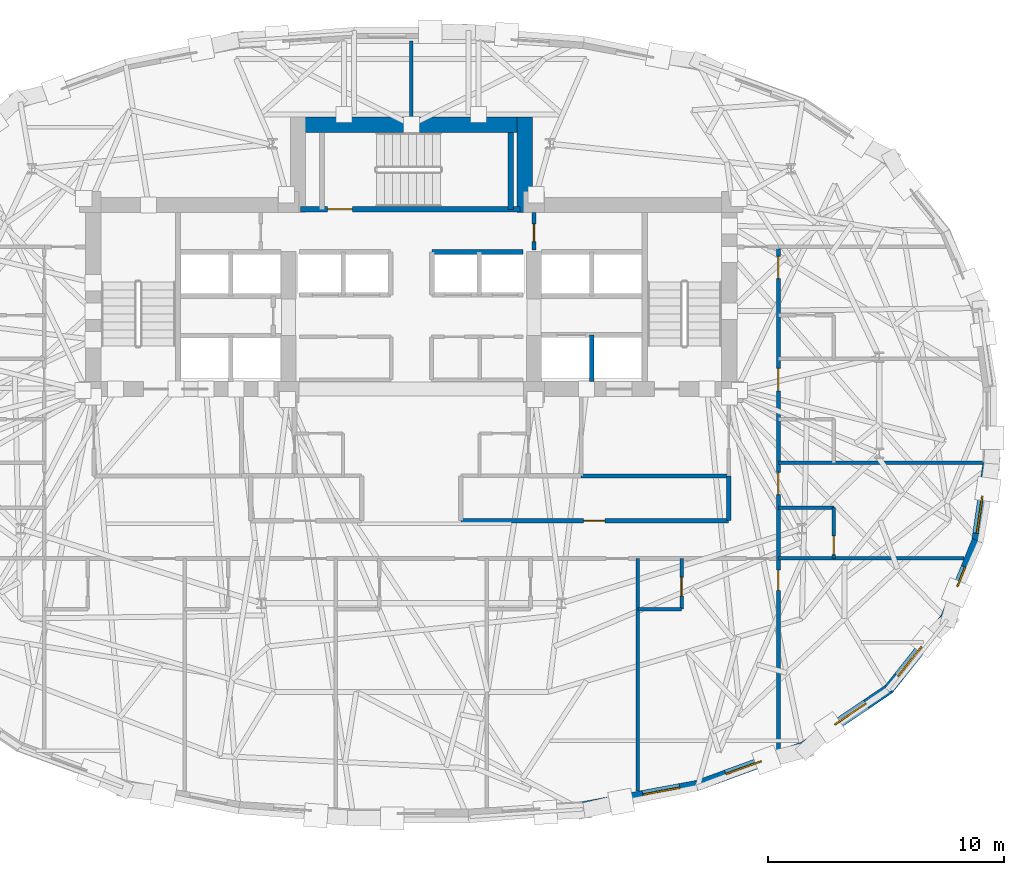
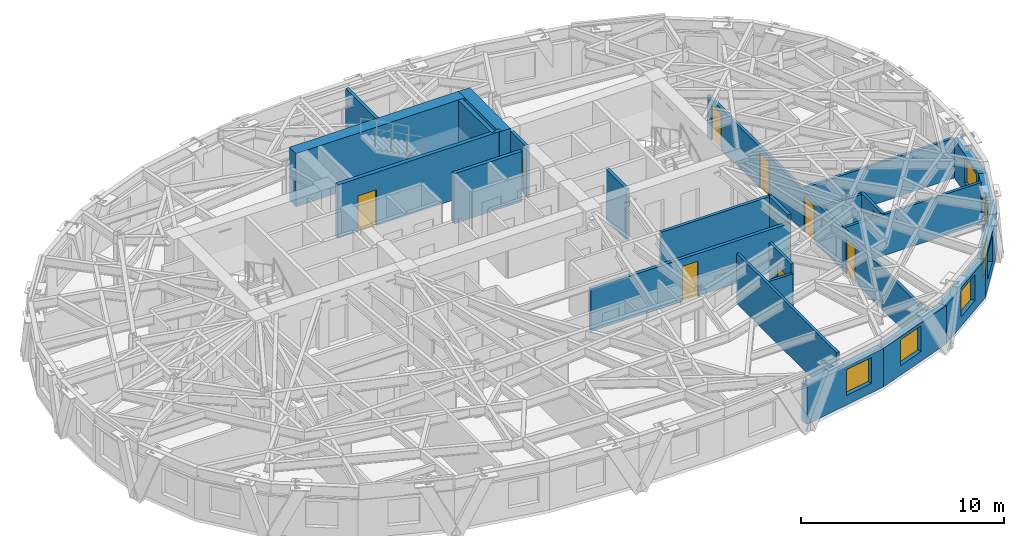
# One storey, part 9 of 15: 25 walls, 9 doors, 6 windows, 15 openings.
"""IFC4 building model written with IfcOpenShell, lengths in metres."""

from ifc_helpers import new_model, si_unit, direction, frame, frame_2d, origin, place, context, subcontext, project, spatial, rectangle, extrude, material, layer, layer_set, type_object, element, fill, save


model = new_model("IFC4")

# Units and contexts
model_context = context("Model", 3, precision=1e-05, world=origin(), true_north=direction((0.0, 1.0)))
body_context = subcontext(model_context, "Body", "Model", "MODEL_VIEW")
ifc_project = project(units=[si_unit("LENGTHUNIT", "METRE"), si_unit("AREAUNIT", "SQUARE_METRE"), si_unit("VOLUMEUNIT", "CUBIC_METRE"), si_unit("PLANEANGLEUNIT", "RADIAN"), si_unit("MASSUNIT", "GRAM", prefix="KILO")], contexts=[model_context])

# Site, building, storey
site_placement = place(None, origin())
site = spatial("IfcSite", under=ifc_project, at=site_placement, CompositionType="ELEMENT")
building_placement = place(site_placement, origin())
building = spatial("IfcBuilding", under=site, at=building_placement, Name="Keldmark Tower", CompositionType="ELEMENT")
storey_placement = place(building_placement, frame((0.0, 0.0, 147.0)))
storey = spatial("IfcBuildingStorey", under=building, at=storey_placement, Name="L39", CompositionType="ELEMENT", Elevation=147.0)

# Wall, opening, door
ifc_material_1 = material(Name="Heavy Acoustic Plumbing Chase Gypsum Assembly", Category="gypsum")
ifc_layer_1 = layer(ifc_material_1, 0.18994140625)
ifc_layer_set_1 = layer_set([ifc_layer_1], Name="Heavy Acoustic Plumbing Chase Gypsum Assembly")
wall_type_1 = type_object("IfcWallType", Name="Heavy Wet Wall 190 mm", PredefinedType="PLUMBINGWALL", material=ifc_layer_set_1)
wall_1_placement = place(storey_placement, frame((2.10009765625, -4.050048828125, 0.0), z_axis=(0.0, 0.0, 1.0), x_axis=(1.0, 0.0, 0.0)))
wall_1 = element("IfcWall", 1, at=wall_1_placement, inside=storey, type_object=wall_type_1, Name="L39 Heavy Wet Wall 190 mm SPK-E-S", PredefinedType="PLUMBINGWALL", context=body_context, shape_type="SweptSolid", body=[
    extrude(rectangle(XDim=11.349853515625, YDim=0.18994140625, at=frame_2d((5.6748046875, 0.0))), origin(), (0.0, 0.0, 1.0), 2.554931640625),
])
opening_1_placement = place(wall_1_placement, frame((5.199951171875, 0.0, 0.0)))
opening_1 = element("IfcOpeningElement", 2, at=opening_1_placement, cuts=wall_1, Name="Opening D-IN090", PredefinedType="OPENING", context=body_context, shape_type="SweptSolid", body=[
    extrude(rectangle(XDim=0.89990234375, YDim=2.10009765625, at=frame_2d((0.449951171875, 1.050048828125))), frame((0.0, 0.10498046875, 0.0), z_axis=(0.0, -1.0, 0.0), x_axis=(1.0, 0.0, 0.0)), (0.0, 0.0, 1.0), 0.2099609375),
])
ifc_material_2 = material(Name="Stained American White Oak Veneer", Category="wood")
door_type_1 = type_object("IfcDoorType", Name="Interior Door 900x2100", OperationType="NOTDEFINED", PredefinedType="DOOR", material=ifc_material_2)
door_1_placement = place(opening_1_placement, origin())
door_1 = element("IfcDoor", 3, at=door_1_placement, inside=storey, type_object=door_type_1, Name="L39 Interior Door 900x2100 D-SPKE1-L39", OperationType="SINGLE_SWING_RIGHT", OverallHeight=2.10009765625, OverallWidth=0.89990234375, PredefinedType="DOOR", context=body_context, shape_type="SweptSolid", body=[
    extrude(rectangle(XDim=0.89990234375, YDim=2.10009765625, at=frame_2d((0.449951171875, 1.050048828125))), frame((0.0, 0.02490234375, 0.0), z_axis=(0.0, -1.0, 0.0), x_axis=(1.0, 0.0, 0.0)), (0.0, 0.0, 1.0), 0.050048828125),
])
fill(opening_1, door_1)

# Walls
wall_2_placement = place(storey_placement, frame((13.449951171875, -4.050048828125, 0.0), z_axis=(0.0, 0.0, 1.0), x_axis=(0.0, 1.0, 0.0)))
element("IfcWall", 4, at=wall_2_placement, inside=storey, type_object=wall_type_1, Name="L39 Heavy Wet Wall 190 mm SPK-E-E", PredefinedType="PLUMBINGWALL", context=body_context, shape_type="SweptSolid", body=[
    extrude(rectangle(XDim=1.900146484375, YDim=0.18994140625, at=frame_2d((0.9501953125, 0.0))), origin(), (0.0, 0.0, 1.0), 3.02001953125),
])
ifc_material_3 = material(Name="Type X Fire-Rated Gypsum Partition Assembly", Category="gypsum")
ifc_layer_2 = layer(ifc_material_3, 0.1650390625)
ifc_layer_set_2 = layer_set([ifc_layer_2], Name="Type X Fire-Rated Gypsum Partition Assembly")
wall_type_2 = type_object("IfcWallType", Name="Rated Partition 165 mm", PredefinedType="PARTITIONING", material=ifc_layer_set_2)
wall_3_placement = place(storey_placement, frame((7.199951171875, -2.14990234375, 0.0), z_axis=(0.0, 0.0, 1.0), x_axis=(1.0, 0.0, 0.0)))
element("IfcWall", 5, at=wall_3_placement, inside=storey, type_object=wall_type_2, Name="L39 Rated Partition 165 mm FSAE-E-S", PredefinedType="PARTITIONING", context=body_context, shape_type="SweptSolid", body=[
    extrude(rectangle(XDim=6.25, YDim=0.1650390625, at=frame_2d((3.125, 0.0))), origin(), (0.0, 0.0, 1.0), 3.02001953125),
])

# Wall, opening, door
wall_4_placement = place(storey_placement, frame((5.199951171875, 7.419921875, 0.0), z_axis=(0.0, 0.0, 1.0), x_axis=(0.0, 1.0, 0.0)))
wall_4 = element("IfcWall", 6, at=wall_4_placement, inside=storey, type_object=wall_type_2, Name="L39 Rated Partition 165 mm CS-NE-W", PredefinedType="PARTITIONING", context=body_context, shape_type="SweptSolid", body=[
    extrude(rectangle(XDim=1.580078125, YDim=0.1650390625, at=frame_2d((0.7900390625, 0.0))), origin(), (0.0, 0.0, 1.0), 3.02001953125),
])
opening_2_placement = place(wall_4_placement, frame((0.35009765625, 0.0, 0.0)))
opening_2 = element("IfcOpeningElement", 7, at=opening_2_placement, cuts=wall_4, Name="Opening D-RS075", PredefinedType="OPENING", context=body_context, shape_type="SweptSolid", body=[
    extrude(rectangle(XDim=0.75, YDim=2.10009765625, at=frame_2d((0.375, 1.050048828125))), frame((0.0, 0.092529296875, 0.0), z_axis=(0.0, -1.0, 0.0), x_axis=(1.0, 0.0, 0.0)), (0.0, 0.0, 1.0), 0.18505859375),
])
ifc_material_4 = material(Name="Galvanized Fire-Rated Access Leaf", Category="metal")
door_type_2 = type_object("IfcDoorType", Name="Riser Access Door 750x2100", OperationType="NOTDEFINED", PredefinedType="DOOR", material=ifc_material_4)
door_2_placement = place(opening_2_placement, origin())
door_2 = element("IfcDoor", 8, at=door_2_placement, inside=storey, type_object=door_type_2, Name="L39 Riser Access Door 750x2100 D-CSNE1-L39", OperationType="SINGLE_SWING_LEFT", OverallHeight=2.10009765625, OverallWidth=0.75, PredefinedType="DOOR", context=body_context, shape_type="SweptSolid", body=[
    extrude(rectangle(XDim=0.75, YDim=2.10009765625, at=frame_2d((0.375, 1.050048828125))), frame((0.0, 0.02490234375, 0.0), z_axis=(0.0, -1.0, 0.0), x_axis=(1.0, 0.0, 0.0)), (0.0, 0.0, 1.0), 0.050048828125),
])
fill(opening_2, door_2)

# Wall, openings, doors
wall_5_placement = place(storey_placement, frame((15.550048828125, -13.77783203125, 0.0), z_axis=(0.0, 0.0, 1.0), x_axis=(0.0, 1.0, 0.0)))
wall_5 = element("IfcWall", 9, at=wall_5_placement, inside=storey, type_object=wall_type_2, Name="L39 Rated Partition 165 mm HCOR-E", PredefinedType="PARTITIONING", context=body_context, shape_type="SweptSolid", body=[
    extrude(rectangle(XDim=21.327880859375, YDim=0.1650390625, at=frame_2d((10.6640625, 0.0))), origin(), (0.0, 0.0, 1.0), 2.472900390625),
])
opening_3_placement = place(wall_5_placement, frame((6.77734375, 0.0, 0.0)))
opening_3 = element("IfcOpeningElement", 10, at=opening_3_placement, cuts=wall_5, Name="Opening D-IN085", PredefinedType="OPENING", context=body_context, shape_type="SweptSolid", body=[
    extrude(rectangle(XDim=0.85009765625, YDim=2.10009765625, at=frame_2d((0.425048828125, 1.050048828125))), frame((0.0, 0.092529296875, 0.0), z_axis=(0.0, -1.0, 0.0), x_axis=(1.0, 0.0, 0.0)), (0.0, 0.0, 1.0), 0.18505859375),
])
opening_4_placement = place(wall_5_placement, frame((10.827392578125, 0.0, 0.0)))
opening_4 = element("IfcOpeningElement", 11, at=opening_4_placement, cuts=wall_5, Name="Opening D-HT095", PredefinedType="OPENING", context=body_context, shape_type="SweptSolid", body=[
    extrude(rectangle(XDim=0.949951171875, YDim=2.14990234375, at=frame_2d((0.47509765625, 1.074951171875))), frame((0.0, 0.092529296875, 0.0), z_axis=(0.0, -1.0, 0.0), x_axis=(1.0, 0.0, 0.0)), (0.0, 0.0, 1.0), 0.18505859375),
])
opening_5_placement = place(wall_5_placement, frame((15.227294921875, 0.0, 0.0)))
opening_5 = element("IfcOpeningElement", 12, at=opening_5_placement, cuts=wall_5, Name="Opening D-HT095", PredefinedType="OPENING", context=body_context, shape_type="SweptSolid", body=[
    extrude(rectangle(XDim=0.949951171875, YDim=2.14990234375, at=frame_2d((0.47509765625, 1.074951171875))), frame((0.0, 0.092529296875, 0.0), z_axis=(0.0, -1.0, 0.0), x_axis=(1.0, 0.0, 0.0)), (0.0, 0.0, 1.0), 0.18505859375),
])
opening_6_placement = place(wall_5_placement, frame((19.977294921875, 0.0, 0.0)))
opening_6 = element("IfcOpeningElement", 13, at=opening_6_placement, cuts=wall_5, Name="Opening D-HT095", PredefinedType="OPENING", context=body_context, shape_type="SweptSolid", body=[
    extrude(rectangle(XDim=0.949951171875, YDim=2.14990234375, at=frame_2d((0.47509765625, 1.074951171875))), frame((0.0, 0.092529296875, 0.0), z_axis=(0.0, -1.0, 0.0), x_axis=(1.0, 0.0, 0.0)), (0.0, 0.0, 1.0), 0.18505859375),
])
ifc_material_5 = material(Name="Solid-Core Acoustic White Oak Fire-Rated Assembly", Category="wood")
door_type_3 = type_object("IfcDoorType", Name="Hotel Entry Door 950x2150", OperationType="NOTDEFINED", PredefinedType="DOOR", material=ifc_material_5)
door_3_placement = place(opening_4_placement, origin())
door_3 = element("IfcDoor", 14, at=door_3_placement, inside=storey, type_object=door_type_3, Name="L39 Hotel Entry Door 950x2150 D-HR-9-L39", OperationType="SINGLE_SWING_LEFT", OverallHeight=2.14990234375, OverallWidth=0.949951171875, PredefinedType="DOOR", context=body_context, shape_type="SweptSolid", body=[
    extrude(rectangle(XDim=0.949951171875, YDim=2.14990234375, at=frame_2d((0.47509765625, 1.074951171875))), frame((0.0, 0.02490234375, 0.0), z_axis=(0.0, -1.0, 0.0), x_axis=(1.0, 0.0, 0.0)), (0.0, 0.0, 1.0), 0.050048828125),
])
fill(opening_4, door_3)
door_4_placement = place(opening_5_placement, origin())
door_4 = element("IfcDoor", 15, at=door_4_placement, inside=storey, type_object=door_type_3, Name="L39 Hotel Entry Door 950x2150 D-HR-10-L39", OperationType="SINGLE_SWING_LEFT", OverallHeight=2.14990234375, OverallWidth=0.949951171875, PredefinedType="DOOR", context=body_context, shape_type="SweptSolid", body=[
    extrude(rectangle(XDim=0.949951171875, YDim=2.14990234375, at=frame_2d((0.47509765625, 1.074951171875))), frame((0.0, 0.02490234375, 0.0), z_axis=(0.0, -1.0, 0.0), x_axis=(1.0, 0.0, 0.0)), (0.0, 0.0, 1.0), 0.050048828125),
])
fill(opening_5, door_4)
door_5_placement = place(opening_6_placement, origin())
door_5 = element("IfcDoor", 16, at=door_5_placement, inside=storey, type_object=door_type_3, Name="L39 Hotel Entry Door 950x2150 D-HR-11-L39", OperationType="SINGLE_SWING_LEFT", OverallHeight=2.14990234375, OverallWidth=0.949951171875, PredefinedType="DOOR", context=body_context, shape_type="SweptSolid", body=[
    extrude(rectangle(XDim=0.949951171875, YDim=2.14990234375, at=frame_2d((0.47509765625, 1.074951171875))), frame((0.0, 0.02490234375, 0.0), z_axis=(0.0, -1.0, 0.0), x_axis=(1.0, 0.0, 0.0)), (0.0, 0.0, 1.0), 0.050048828125),
])
fill(opening_6, door_5)
ifc_material_6 = material(Name="Painted Architectural Wood", Category="wood")
door_type_4 = type_object("IfcDoorType", Name="Interior Door 850x2100", OperationType="NOTDEFINED", PredefinedType="DOOR", material=ifc_material_6)
door_6_placement = place(opening_3_placement, origin())
door_6 = element("IfcDoor", 17, at=door_6_placement, inside=storey, type_object=door_type_4, Name="L39 Interior Door 850x2100 D-HKSE-L39", OperationType="SINGLE_SWING_RIGHT", OverallHeight=2.10009765625, OverallWidth=0.85009765625, PredefinedType="DOOR", context=body_context, shape_type="SweptSolid", body=[
    extrude(rectangle(XDim=0.85009765625, YDim=2.10009765625, at=frame_2d((0.425048828125, 1.050048828125))), frame((0.0, 0.02490234375, 0.0), z_axis=(0.0, -1.0, 0.0), x_axis=(1.0, 0.0, 0.0)), (0.0, 0.0, 1.0), 0.050048828125),
])
fill(opening_3, door_6)

# Walls
wall_6_placement = place(storey_placement, frame((0.0, 13.050048828125, 0.0), z_axis=(0.0, 0.0, 1.0), x_axis=(0.0, 1.0, 0.0)))
element("IfcWall", 18, at=wall_6_placement, inside=storey, type_object=wall_type_2, Name="L39 Rated Partition 165 mm HN-DIV", PredefinedType="PARTITIONING", context=body_context, shape_type="SweptSolid", body=[
    extrude(rectangle(XDim=3.213134765625, YDim=0.1650390625, at=frame_2d((1.6064453125, 0.0))), origin(), (0.0, 0.0, 1.0), 3.02001953125),
])
ifc_material_7 = material(Name="Fire-Resistant Type X Gypsum Shaftliner Coreboard", Category="gypsum")
ifc_layer_3 = layer(ifc_material_7, 0.199951171875)
ifc_layer_set_3 = layer_set([ifc_layer_3], Name="Fire-Resistant Type X Gypsum Shaftliner Coreboard")
wall_type_3 = type_object("IfcWallType", Name="Shaft Wall 200 mm", PredefinedType="SOLIDWALL", material=ifc_layer_set_3)
wall_7_placement = place(storey_placement, frame((7.64990234375, 1.85009765625, 0.0), z_axis=(0.0, 0.0, 1.0), x_axis=(0.0, 1.0, 0.0)))
element("IfcWall", 19, at=wall_7_placement, inside=storey, type_object=wall_type_3, Name="L39 Shaft Wall 200 mm HW-E-M", PredefinedType="SOLIDWALL", context=body_context, shape_type="SweptSolid", body=[
    extrude(rectangle(XDim=1.969970703125, YDim=0.199951171875, at=frame_2d((0.98486328125, 0.0))), origin(), (0.0, 0.0, 1.0), 3.02001953125),
])
wall_8_placement = place(storey_placement, frame((0.8798828125, 7.330078125, 0.0), z_axis=(0.0, 0.0, 1.0), x_axis=(1.0, 0.0, 0.0)))
element("IfcWall", 20, at=wall_8_placement, inside=storey, type_object=wall_type_3, Name="L39 Shaft Wall 200 mm MID-N-E", PredefinedType="SOLIDWALL", context=body_context, shape_type="SweptSolid", body=[
    extrude(rectangle(XDim=3.860107421875, YDim=0.199951171875, at=frame_2d((1.93017578125, 0.0))), origin(), (0.0, 0.0, 1.0), 3.02001953125),
])

# Wall, opening, door
ifc_material_8 = material(Name="Concrete C50/60", Category="concrete")
ifc_layer_4 = layer(ifc_material_8, 0.219970703125)
ifc_layer_set_4 = layer_set([ifc_layer_4], Name="Concrete C50/60")
wall_type_4 = type_object("IfcWallType", Name="Stair Core Shear Wall 220 mm", PredefinedType="SHEAR", material=ifc_layer_set_4)
wall_9_placement = place(storey_placement, frame((-4.699951171875, 9.139892578125, 0.0), z_axis=(0.0, 0.0, 1.0), x_axis=(1.0, 0.0, 0.0)))
wall_9 = element("IfcWall", 21, at=wall_9_placement, inside=storey, type_object=wall_type_4, Name="L39 Central Stair Core South Shear Wall", PredefinedType="SHEAR", context=body_context, shape_type="SweptSolid", body=[
    extrude(rectangle(XDim=9.300048828125, YDim=0.219970703125, at=frame_2d((4.64990234375, 0.0))), origin(), (0.0, 0.0, 1.0), 3.199951171875),
])
opening_7_placement = place(wall_9_placement, frame((1.14990234375, 0.0, 0.0)))
opening_7 = element("IfcOpeningElement", 22, at=opening_7_placement, cuts=wall_9, Name="Opening D-ST105", PredefinedType="OPENING", context=body_context, shape_type="SweptSolid", body=[
    extrude(rectangle(XDim=1.050048828125, YDim=2.14990234375, at=frame_2d((0.52490234375, 1.074951171875))), frame((0.0, 0.119873046875, 0.0), z_axis=(0.0, -1.0, 0.0), x_axis=(1.0, 0.0, 0.0)), (0.0, 0.0, 1.0), 0.239990234375),
])
ifc_material_9 = material(Name="Hollow Metal Fire-Rated Door Assembly", Category="metal")
door_type_5 = type_object("IfcDoorType", Name="Stair Fire Door 1050x2150", OperationType="NOTDEFINED", PredefinedType="DOOR", material=ifc_material_9)
door_7_placement = place(opening_7_placement, origin())
door_7 = element("IfcDoor", 23, at=door_7_placement, inside=storey, type_object=door_type_5, Name="L39 Stair Fire Door 1050x2150 D-ST3-L39", OperationType="SINGLE_SWING_RIGHT", OverallHeight=2.14990234375, OverallWidth=1.050048828125, PredefinedType="DOOR", context=body_context, shape_type="SweptSolid", body=[
    extrude(rectangle(XDim=1.050048828125, YDim=2.14990234375, at=frame_2d((0.52490234375, 1.074951171875))), frame((0.0, 0.02490234375, 0.0), z_axis=(0.0, -1.0, 0.0), x_axis=(1.0, 0.0, 0.0)), (0.0, 0.0, 1.0), 0.050048828125),
])
fill(opening_7, door_7)

# Wall
wall_10_placement = place(storey_placement, frame((4.215087890625, 9.139892578125, 0.0), z_axis=(0.0, 0.0, 1.0), x_axis=(0.0, 1.0, 0.0)))
element("IfcWall", 24, at=wall_10_placement, inside=storey, type_object=wall_type_4, Name="L39 Central Stair Core East Shear Wall", PredefinedType="SHEAR", context=body_context, shape_type="SweptSolid", body=[
    extrude(rectangle(XDim=3.260009765625, YDim=0.219970703125, at=frame_2d((1.6298828125, 0.0))), origin(), (0.0, 0.0, 1.0), 3.199951171875),
])

# Wall, opening, window
ifc_material_10 = material(Name="Ironspot Manganese Brick and Kasota Buff Limestone Spandrel Assembly", Category="masonry")
ifc_layer_5 = layer(ifc_material_10, 0.43994140625)
ifc_layer_set_5 = layer_set([ifc_layer_5], Name="Ironspot Manganese Brick and Kasota Buff Limestone Spandrel Assembly")
wall_type_5 = type_object("IfcWallType", Name="Tower Brick Pier and Spandrel Wall 440 mm", PredefinedType="STANDARD", material=ifc_layer_set_5)
wall_11_placement = place(storey_placement, frame((12.163818359375, -15.26025390625, 0.0), z_axis=(0.0, 0.0, 1.0), x_axis=(-0.98297578121, -0.183735172338, 0.0)))
wall_11 = element("IfcWall", 25, at=wall_11_placement, inside=storey, type_object=wall_type_5, Name="L39 Exterior Brick and Spandrel Wall 26", PredefinedType="STANDARD", context=body_context, shape_type="SweptSolid", body=[
    extrude(rectangle(XDim=4.955078125, YDim=0.43994140625, at=frame_2d((2.4775390625, 0.0))), origin(), (0.0, 0.0, 1.0), 2.31494140625),
])
opening_8_placement = place(wall_11_placement, frame((0.791015625, 0.0, 0.580078125)))
opening_8 = element("IfcOpeningElement", 26, at=opening_8_placement, cuts=wall_11, Name="Opening W-04", PredefinedType="OPENING", context=body_context, shape_type="SweptSolid", body=[
    extrude(rectangle(XDim=1.60009765625, YDim=1.550048828125, at=frame_2d((0.800048828125, 0.77490234375))), frame((0.0, 0.22998046875, 0.0), z_axis=(0.0, -1.0, 0.0), x_axis=(1.0, 0.0, 0.0)), (0.0, 0.0, 1.0), 0.4599609375),
])
ifc_material_11 = material(Name="Thermally Broken Anodized Aluminum and Triple Low-E Argon Glazing", Category="aluminium")
window_type_1 = type_object("IfcWindowType", Name="Hotel Deep-Set Operable Window 1600x1550", PartitioningType="DOUBLE_PANEL_HORIZONTAL", PredefinedType="WINDOW", material=ifc_material_11)
window_1_placement = place(opening_8_placement, origin())
window_1 = element("IfcWindow", 27, at=window_1_placement, inside=storey, type_object=window_type_1, Name="L39 Deep-Set Window 26", OverallHeight=1.550048828125, OverallWidth=1.60009765625, PartitioningType="SINGLE_PANEL", PredefinedType="WINDOW", context=body_context, shape_type="SweptSolid", body=[
    extrude(rectangle(XDim=1.60009765625, YDim=1.550048828125, at=frame_2d((0.800048828125, 0.77490234375))), frame((0.0, -0.010009765625, 0.0), z_axis=(0.0, -1.0, 0.0), x_axis=(1.0, 0.0, 0.0)), (0.0, 0.0, 1.0), 0.06005859375),
])
fill(opening_8, window_1)

wall_12_placement = place(storey_placement, frame((16.65966796875, -13.615478515625, 0.0), z_axis=(0.0, 0.0, 1.0), x_axis=(-0.939349296455, -0.342961950147, 0.0)))
wall_12 = element("IfcWall", 28, at=wall_12_placement, inside=storey, type_object=wall_type_5, Name="L39 Exterior Brick and Spandrel Wall 27", PredefinedType="STANDARD", context=body_context, shape_type="SweptSolid", body=[
    extrude(rectangle(XDim=4.823486328125, YDim=0.43994140625, at=frame_2d((2.41162109375, 0.0))), origin(), (0.0, 0.0, 1.0), 2.31494140625),
])
opening_9_placement = place(wall_12_placement, frame((1.933837890625, 0.0, 0.580078125)))
opening_9 = element("IfcOpeningElement", 29, at=opening_9_placement, cuts=wall_12, Name="Opening W-04", PredefinedType="OPENING", context=body_context, shape_type="SweptSolid", body=[
    extrude(rectangle(XDim=1.60009765625, YDim=1.550048828125, at=frame_2d((0.800048828125, 0.77490234375))), frame((0.0, 0.22998046875, 0.0), z_axis=(0.0, -1.0, 0.0), x_axis=(1.0, 0.0, 0.0)), (0.0, 0.0, 1.0), 0.4599609375),
])
window_2_placement = place(opening_9_placement, origin())
window_2 = element("IfcWindow", 30, at=window_2_placement, inside=storey, type_object=window_type_1, Name="L39 Deep-Set Window 27", OverallHeight=1.550048828125, OverallWidth=1.60009765625, PartitioningType="SINGLE_PANEL", PredefinedType="WINDOW", context=body_context, shape_type="SweptSolid", body=[
    extrude(rectangle(XDim=1.60009765625, YDim=1.550048828125, at=frame_2d((0.800048828125, 0.77490234375))), frame((0.0, -0.010009765625, 0.0), z_axis=(0.0, -1.0, 0.0), x_axis=(1.0, 0.0, 0.0)), (0.0, 0.0, 1.0), 0.06005859375),
])
fill(opening_9, window_2)

wall_13_placement = place(storey_placement, frame((20.2685546875, -11.16162109375, 0.0), z_axis=(0.0, 0.0, 1.0), x_axis=(-0.827774624611, -0.561060755044, 0.0)))
wall_13 = element("IfcWall", 31, at=wall_13_placement, inside=storey, type_object=wall_type_5, Name="L39 Exterior Brick and Spandrel Wall 28", PredefinedType="STANDARD", context=body_context, shape_type="SweptSolid", body=[
    extrude(rectangle(XDim=4.41748046875, YDim=0.43994140625, at=frame_2d((2.208740234375, 0.0))), origin(), (0.0, 0.0, 1.0), 2.31494140625),
])
opening_10_placement = place(wall_13_placement, frame((1.186767578125, 0.0, 0.580078125)))
opening_10 = element("IfcOpeningElement", 32, at=opening_10_placement, cuts=wall_13, Name="Opening W-04", PredefinedType="OPENING", context=body_context, shape_type="SweptSolid", body=[
    extrude(rectangle(XDim=1.60009765625, YDim=1.550048828125, at=frame_2d((0.800048828125, 0.77490234375))), frame((0.0, 0.22998046875, 0.0), z_axis=(0.0, -1.0, 0.0), x_axis=(1.0, 0.0, 0.0)), (0.0, 0.0, 1.0), 0.4599609375),
])
window_3_placement = place(opening_10_placement, origin())
window_3 = element("IfcWindow", 33, at=window_3_placement, inside=storey, type_object=window_type_1, Name="L39 Deep-Set Window 28", OverallHeight=1.550048828125, OverallWidth=1.60009765625, PartitioningType="SINGLE_PANEL", PredefinedType="WINDOW", context=body_context, shape_type="SweptSolid", body=[
    extrude(rectangle(XDim=1.60009765625, YDim=1.550048828125, at=frame_2d((0.800048828125, 0.77490234375))), frame((0.0, -0.010009765625, 0.0), z_axis=(0.0, -1.0, 0.0), x_axis=(1.0, 0.0, 0.0)), (0.0, 0.0, 1.0), 0.06005859375),
])
fill(opening_10, window_3)

wall_14_placement = place(storey_placement, frame((22.660400390625, -8.135498046875, 0.0), z_axis=(0.0, 0.0, 1.0), x_axis=(-0.622149266174, -0.782898646441, 0.0)))
wall_14 = element("IfcWall", 34, at=wall_14_placement, inside=storey, type_object=wall_type_5, Name="L39 Exterior Brick and Spandrel Wall 29", PredefinedType="STANDARD", context=body_context, shape_type="SweptSolid", body=[
    extrude(rectangle(XDim=3.9228515625, YDim=0.43994140625, at=frame_2d((1.96142578125, 0.0))), origin(), (0.0, 0.0, 1.0), 2.31494140625),
])
opening_11_placement = place(wall_14_placement, frame((1.6298828125, 0.0, 0.580078125)))
opening_11 = element("IfcOpeningElement", 35, at=opening_11_placement, cuts=wall_14, Name="Opening W-04", PredefinedType="OPENING", context=body_context, shape_type="SweptSolid", body=[
    extrude(rectangle(XDim=1.60009765625, YDim=1.550048828125, at=frame_2d((0.800048828125, 0.77490234375))), frame((0.0, 0.22998046875, 0.0), z_axis=(0.0, -1.0, 0.0), x_axis=(1.0, 0.0, 0.0)), (0.0, 0.0, 1.0), 0.4599609375),
])
window_4_placement = place(opening_11_placement, origin())
window_4 = element("IfcWindow", 36, at=window_4_placement, inside=storey, type_object=window_type_1, Name="L39 Deep-Set Window 29", OverallHeight=1.550048828125, OverallWidth=1.60009765625, PartitioningType="SINGLE_PANEL", PredefinedType="WINDOW", context=body_context, shape_type="SweptSolid", body=[
    extrude(rectangle(XDim=1.60009765625, YDim=1.550048828125, at=frame_2d((0.800048828125, 0.77490234375))), frame((0.0, -0.010009765625, 0.0), z_axis=(0.0, -1.0, 0.0), x_axis=(1.0, 0.0, 0.0)), (0.0, 0.0, 1.0), 0.06005859375),
])
fill(opening_11, window_4)

wall_15_placement = place(storey_placement, frame((23.971923828125, -4.887939453125, 0.0), z_axis=(0.0, 0.0, 1.0), x_axis=(-0.376863872061, -0.926268655378, 0.0)))
wall_15 = element("IfcWall", 37, at=wall_15_placement, inside=storey, type_object=wall_type_5, Name="L39 Exterior Brick and Spandrel Wall 30", PredefinedType="STANDARD", context=body_context, shape_type="SweptSolid", body=[
    extrude(rectangle(XDim=3.564208984375, YDim=0.43994140625, at=frame_2d((1.7822265625, 0.0))), origin(), (0.0, 0.0, 1.0), 2.31494140625),
])
opening_12_placement = place(wall_15_placement, frame((1.233642578125, 0.0, 0.580078125)))
opening_12 = element("IfcOpeningElement", 38, at=opening_12_placement, cuts=wall_15, Name="Opening W-09", PredefinedType="OPENING", context=body_context, shape_type="SweptSolid", body=[
    extrude(rectangle(XDim=0.89990234375, YDim=1.35009765625, at=frame_2d((0.449951171875, 0.675048828125))), frame((0.0, 0.22998046875, 0.0), z_axis=(0.0, -1.0, 0.0), x_axis=(1.0, 0.0, 0.0)), (0.0, 0.0, 1.0), 0.4599609375),
])
ifc_material_12 = material(Name="Thermally Broken Anodized Aluminum and Triple Low-E Argon Glazing", Category="aluminium")
window_type_2 = type_object("IfcWindowType", Name="Corner Pier Deep-Set Window 900x1350", PartitioningType="SINGLE_PANEL", PredefinedType="WINDOW", material=ifc_material_12)
window_5_placement = place(opening_12_placement, origin())
window_5 = element("IfcWindow", 39, at=window_5_placement, inside=storey, type_object=window_type_2, Name="L39 Deep-Set Window 30", OverallHeight=1.35009765625, OverallWidth=0.89990234375, PartitioningType="SINGLE_PANEL", PredefinedType="WINDOW", context=body_context, shape_type="SweptSolid", body=[
    extrude(rectangle(XDim=0.89990234375, YDim=1.35009765625, at=frame_2d((0.449951171875, 0.675048828125))), frame((0.0, -0.010009765625, 0.0), z_axis=(0.0, -1.0, 0.0), x_axis=(1.0, 0.0, 0.0)), (0.0, 0.0, 1.0), 0.06005859375),
])
fill(opening_12, window_5)

wall_16_placement = place(storey_placement, frame((24.43603515625, -1.614501953125, 0.0), z_axis=(0.0, 0.0, 1.0), x_axis=(-0.142296299692, -0.989824107149, 0.0)))
wall_16 = element("IfcWall", 40, at=wall_16_placement, inside=storey, type_object=wall_type_5, Name="L39 Exterior Brick and Spandrel Wall 31", PredefinedType="STANDARD", context=body_context, shape_type="SweptSolid", body=[
    extrude(rectangle(XDim=3.359375, YDim=0.43994140625, at=frame_2d((1.6796875, 0.0))), origin(), (0.0, 0.0, 1.0), 2.31494140625),
])
opening_13_placement = place(wall_16_placement, frame((1.41357421875, 0.0, 0.580078125)))
opening_13 = element("IfcOpeningElement", 41, at=opening_13_placement, cuts=wall_16, Name="Opening W-04", PredefinedType="OPENING", context=body_context, shape_type="SweptSolid", body=[
    extrude(rectangle(XDim=1.60009765625, YDim=1.550048828125, at=frame_2d((0.800048828125, 0.77490234375))), frame((0.0, 0.22998046875, 0.0), z_axis=(0.0, -1.0, 0.0), x_axis=(1.0, 0.0, 0.0)), (0.0, 0.0, 1.0), 0.4599609375),
])
window_6_placement = place(opening_13_placement, origin())
window_6 = element("IfcWindow", 42, at=window_6_placement, inside=storey, type_object=window_type_1, Name="L39 Deep-Set Window 31", OverallHeight=1.550048828125, OverallWidth=1.60009765625, PartitioningType="SINGLE_PANEL", PredefinedType="WINDOW", context=body_context, shape_type="SweptSolid", body=[
    extrude(rectangle(XDim=1.60009765625, YDim=1.550048828125, at=frame_2d((0.800048828125, 0.77490234375))), frame((0.0, -0.010009765625, 0.0), z_axis=(0.0, -1.0, 0.0), x_axis=(1.0, 0.0, 0.0)), (0.0, 0.0, 1.0), 0.06005859375),
])
fill(opening_13, window_6)

# Walls
ifc_material_13 = material(Name="Concrete C50/60", Category="concrete")
ifc_layer_6 = layer(ifc_material_13, 0.64990234375)
ifc_layer_set_6 = layer_set([ifc_layer_6], Name="Concrete C50/60")
wall_type_6 = type_object("IfcWallType", Name="Upper-Mid Core Shear Wall 650 mm", PredefinedType="SHEAR", material=ifc_layer_set_6)
wall_17_placement = place(storey_placement, frame((-5.125, 12.72509765625, 0.0), z_axis=(0.0, 0.0, 1.0), x_axis=(1.0, 0.0, 0.0)))
element("IfcWall", 43, at=wall_17_placement, inside=storey, type_object=wall_type_6, Name="L39 North Core Shear Wall", PredefinedType="SHEAR", context=body_context, shape_type="SweptSolid", body=[
    extrude(rectangle(XDim=10.25, YDim=0.64990234375, at=frame_2d((5.125, 0.0))), origin(), (0.0, 0.0, 1.0), 3.199951171875),
])
wall_18_placement = place(storey_placement, frame((4.800048828125, 9.0, 0.0), z_axis=(0.0, 0.0, 1.0), x_axis=(0.0, 1.0, 0.0)))
element("IfcWall", 44, at=wall_18_placement, inside=storey, type_object=wall_type_6, Name="L39 North Core East Shear Wall", PredefinedType="SHEAR", context=body_context, shape_type="SweptSolid", body=[
    extrude(rectangle(XDim=4.050048828125, YDim=0.64990234375, at=frame_2d((2.02490234375, 0.0))), origin(), (0.0, 0.0, 1.0), 3.199951171875),
])
ifc_material_14 = material(Name="Moisture-Resistant Gypsum Plumbing Partition", Category="gypsum")
ifc_layer_7 = layer(ifc_material_14, 0.14990234375)
ifc_layer_set_7 = layer_set([ifc_layer_7], Name="Moisture-Resistant Gypsum Plumbing Partition")
wall_type_7 = type_object("IfcWallType", Name="Wet Wall 150 mm", PredefinedType="PLUMBINGWALL", material=ifc_layer_set_7)
wall_19_placement = place(storey_placement, frame((15.550048828125, -5.64990234375, 0.0), z_axis=(0.0, 0.0, 1.0), x_axis=(1.0, 0.0, 0.0)))
element("IfcWall", 45, at=wall_19_placement, inside=storey, type_object=wall_type_7, Name="L39 Wet Wall 150 mm HE-CAP-S", PredefinedType="PLUMBINGWALL", context=body_context, shape_type="SweptSolid", body=[
    extrude(rectangle(XDim=7.86572265625, YDim=0.14990234375, at=frame_2d((3.932861328125, 0.0))), origin(), (0.0, 0.0, 1.0), 2.472900390625),
])
wall_20_placement = place(storey_placement, frame((9.60009765625, -15.507568359375, 0.0), z_axis=(0.0, 0.0, 1.0), x_axis=(0.0, 1.0, 0.0)))
element("IfcWall", 46, at=wall_20_placement, inside=storey, type_object=wall_type_7, Name="L39 Wet Wall 150 mm HS-DIV-4", PredefinedType="PLUMBINGWALL", context=body_context, shape_type="SweptSolid", body=[
    extrude(rectangle(XDim=9.857666015625, YDim=0.14990234375, at=frame_2d((4.9287109375, 0.0))), origin(), (0.0, 0.0, 1.0), 3.02001953125),
])

# Wall, opening, door
wall_21_placement = place(storey_placement, frame((11.449951171875, -7.800048828125, 0.0), z_axis=(0.0, 0.0, 1.0), x_axis=(0.0, 1.0, 0.0)))
wall_21 = element("IfcWall", 47, at=wall_21_placement, inside=storey, type_object=wall_type_7, Name="L39 Wet Wall 150 mm HB-S5-E", PredefinedType="PLUMBINGWALL", context=body_context, shape_type="SweptSolid", body=[
    extrude(rectangle(XDim=2.150146484375, YDim=0.14990234375, at=frame_2d((1.0751953125, 0.0))), origin(), (0.0, 0.0, 1.0), 3.02001953125),
])
opening_14_placement = place(wall_21_placement, frame((0.550048828125, 0.0, 0.0)))
opening_14 = element("IfcOpeningElement", 48, at=opening_14_placement, cuts=wall_21, Name="Opening D-BT080", PredefinedType="OPENING", context=body_context, shape_type="SweptSolid", body=[
    extrude(rectangle(XDim=0.800048828125, YDim=2.10009765625, at=frame_2d((0.39990234375, 1.050048828125))), frame((0.0, 0.0849609375, 0.0), z_axis=(0.0, -1.0, 0.0), x_axis=(1.0, 0.0, 0.0)), (0.0, 0.0, 1.0), 0.169921875),
])
ifc_material_15 = material(Name="Moisture-Sealed Stained Wood", Category="wood")
door_type_6 = type_object("IfcDoorType", Name="Bathroom Door 800x2100", OperationType="NOTDEFINED", PredefinedType="DOOR", material=ifc_material_15)
door_8_placement = place(opening_14_placement, origin())
door_8 = element("IfcDoor", 49, at=door_8_placement, inside=storey, type_object=door_type_6, Name="L39 Bathroom Door 800x2100 D-HBS5-L39", OperationType="SINGLE_SWING_RIGHT", OverallHeight=2.10009765625, OverallWidth=0.800048828125, PredefinedType="DOOR", context=body_context, shape_type="SweptSolid", body=[
    extrude(rectangle(XDim=0.800048828125, YDim=2.10009765625, at=frame_2d((0.39990234375, 1.050048828125))), frame((0.0, 0.02490234375, 0.0), z_axis=(0.0, -1.0, 0.0), x_axis=(1.0, 0.0, 0.0)), (0.0, 0.0, 1.0), 0.050048828125),
])
fill(opening_14, door_8)

# Walls
wall_22_placement = place(storey_placement, frame((9.60009765625, -7.800048828125, 0.0), z_axis=(0.0, 0.0, 1.0), x_axis=(1.0, 0.0, 0.0)))
element("IfcWall", 50, at=wall_22_placement, inside=storey, type_object=wall_type_7, Name="L39 Wet Wall 150 mm HB-S5-S", PredefinedType="PLUMBINGWALL", context=body_context, shape_type="SweptSolid", body=[
    extrude(rectangle(XDim=1.849853515625, YDim=0.14990234375, at=frame_2d((0.9248046875, 0.0))), origin(), (0.0, 0.0, 1.0), 2.472900390625),
])
wall_23_placement = place(storey_placement, frame((15.550048828125, -1.60009765625, 0.0), z_axis=(0.0, 0.0, 1.0), x_axis=(1.0, 0.0, 0.0)))
element("IfcWall", 51, at=wall_23_placement, inside=storey, type_object=wall_type_7, Name="L39 Wet Wall 150 mm HE-DIV-1", PredefinedType="PLUMBINGWALL", context=body_context, shape_type="SweptSolid", body=[
    extrude(rectangle(XDim=8.65576171875, YDim=0.14990234375, at=frame_2d((4.327880859375, 0.0))), origin(), (0.0, 0.0, 1.0), 2.39794921875),
])
wall_24_placement = place(storey_placement, frame((15.550048828125, -3.5, 0.0), z_axis=(0.0, 0.0, 1.0), x_axis=(1.0, 0.0, 0.0)))
element("IfcWall", 52, at=wall_24_placement, inside=storey, type_object=wall_type_7, Name="L39 Wet Wall 150 mm HB-9-N", PredefinedType="PLUMBINGWALL", context=body_context, shape_type="SweptSolid", body=[
    extrude(rectangle(XDim=2.349853515625, YDim=0.14990234375, at=frame_2d((1.1748046875, 0.0))), origin(), (0.0, 0.0, 1.0), 2.39794921875),
])

# Wall, opening, door
wall_25_placement = place(storey_placement, frame((17.89990234375, -5.64990234375, 0.0), z_axis=(0.0, 0.0, 1.0), x_axis=(0.0, 1.0, 0.0)))
wall_25 = element("IfcWall", 53, at=wall_25_placement, inside=storey, type_object=wall_type_7, Name="L39 Wet Wall 150 mm HB-9-IN", PredefinedType="PLUMBINGWALL", context=body_context, shape_type="SweptSolid", body=[
    extrude(rectangle(XDim=2.14990234375, YDim=0.14990234375, at=frame_2d((1.074951171875, 0.0))), origin(), (0.0, 0.0, 1.0), 2.472900390625),
])
opening_15_placement = place(wall_25_placement, frame((0.159912109375, 0.0, 0.0)))
opening_15 = element("IfcOpeningElement", 54, at=opening_15_placement, cuts=wall_25, Name="Opening D-BT080", PredefinedType="OPENING", context=body_context, shape_type="SweptSolid", body=[
    extrude(rectangle(XDim=0.800048828125, YDim=2.10009765625, at=frame_2d((0.39990234375, 1.050048828125))), frame((0.0, 0.0849609375, 0.0), z_axis=(0.0, -1.0, 0.0), x_axis=(1.0, 0.0, 0.0)), (0.0, 0.0, 1.0), 0.169921875),
])
door_9_placement = place(opening_15_placement, origin())
door_9 = element("IfcDoor", 55, at=door_9_placement, inside=storey, type_object=door_type_6, Name="L39 Bathroom Door 800x2100 D-HB-9-L39", OperationType="SINGLE_SWING_LEFT", OverallHeight=2.10009765625, OverallWidth=0.800048828125, PredefinedType="DOOR", context=body_context, shape_type="SweptSolid", body=[
    extrude(rectangle(XDim=0.800048828125, YDim=2.10009765625, at=frame_2d((0.39990234375, 1.050048828125))), frame((0.0, 0.02490234375, 0.0), z_axis=(0.0, -1.0, 0.0), x_axis=(1.0, 0.0, 0.0)), (0.0, 0.0, 1.0), 0.050048828125),
])
fill(opening_15, door_9)

save(model, "model.ifc")
